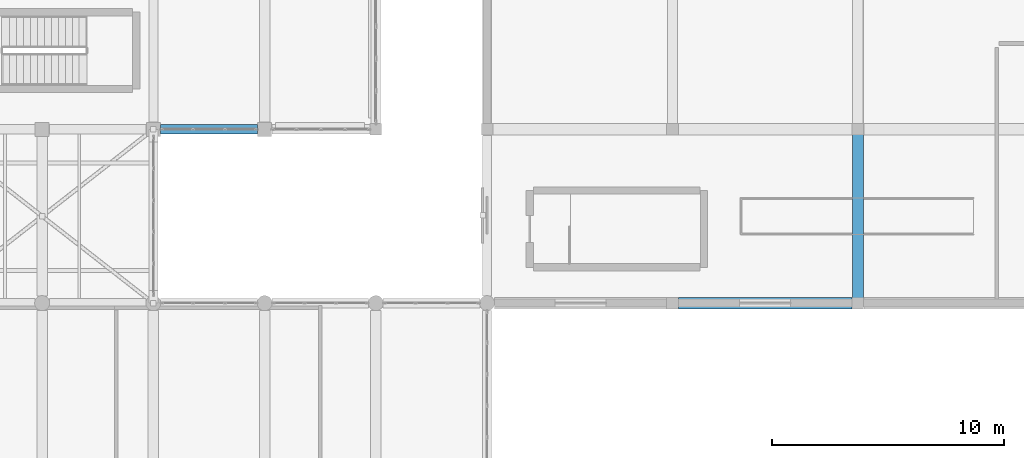
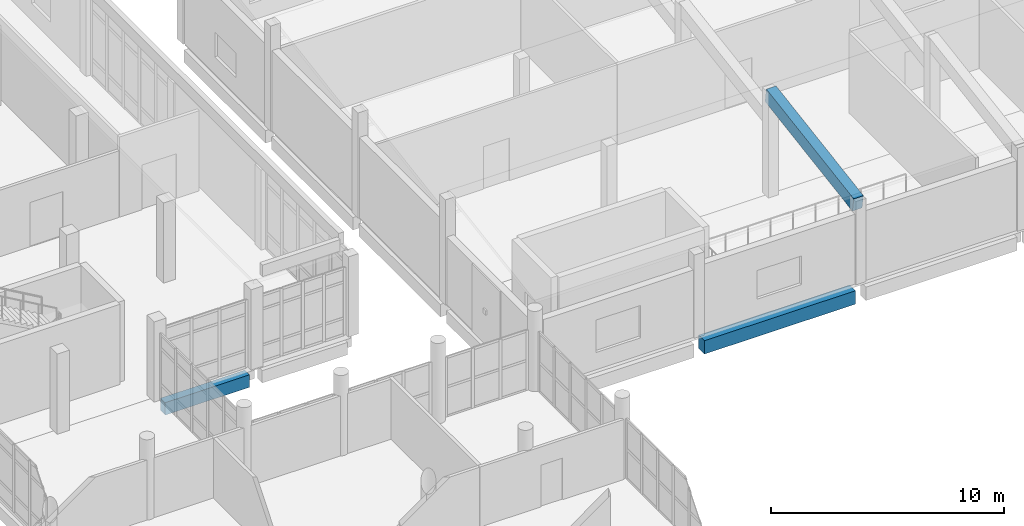
# One storey, part 96 of 164: 3 beams.
"""IFC4 building model written with IfcOpenShell, lengths in metres."""

import ifcopenshell
import ifcopenshell.guid

model = None  # the IFC model being written
_history = None  # IfcOwnerHistory: only IFC2X3 demands one
_inside = {}  # id of a spatial element -> (the spatial element, [elements in it])
_under = {}  # id of a project, library or spatial element -> (it, [spatial elements below it])
_declared = {}  # id of a project -> (the project, [libraries it declares])
_typed = {}  # id of a type object -> (the type object, [elements of that type])
_made_of = {}  # id of a material, layer set ... -> (it, [elements and type objects made of it])


def new_model(schema):
    """Start an empty IFC model of exactly this schema.

    Asked for "IFC4X3", IfcOpenShell would pick the latest addendum, in which some entities
    have other attributes; the version numbers below select the first issue.
    IFC2X3 requires an IfcOwnerHistory on every rooted entity: one is made here for all.
    """
    global model, _history
    if schema == "IFC4X3":
        model = ifcopenshell.file(schema_version=(4, 3, 0, 0))
    else:
        model = ifcopenshell.file(schema=schema)
    _inside.clear()
    _under.clear()
    _declared.clear()
    _typed.clear()
    _made_of.clear()
    _history = None
    if model.schema == "IFC2X3":
        org = make("IfcOrganization", Name="unknown")
        user = make(
            "IfcPersonAndOrganization",
            ThePerson=make("IfcPerson", FamilyName="unknown"),
            TheOrganization=org,
        )
        app = make(
            "IfcApplication",
            ApplicationDeveloper=org,
            Version="unknown",
            ApplicationFullName="unknown",
            ApplicationIdentifier="unknown",
        )
        _history = make(
            "IfcOwnerHistory",
            OwningUser=user,
            OwningApplication=app,
            ChangeAction="ADDED",
            CreationDate=0,
        )
    return model


def make(cls, **values):
    """One entity of the class cls with the attributes given. An attribute that is None is left unset."""
    return model.create_entity(
        cls, **{name: value for name, value in values.items() if value is not None}
    )


def rooted(cls, **values):
    """An entity with a GlobalId (a new one), such as an element, a storey or a relation."""
    return make(cls, GlobalId=ifcopenshell.guid.new(), OwnerHistory=_history, **values)


def si_unit(unit_type, name, prefix=None):
    """IfcSIUnit, for example si_unit("LENGTHUNIT", "METRE", prefix="MILLI")."""
    return make("IfcSIUnit", UnitType=unit_type, Prefix=prefix, Name=name)


def assignment(units):
    """IfcUnitAssignment: the units of a project."""
    return None if units is None else make("IfcUnitAssignment", Units=units)


def point(xyz):
    """IfcCartesianPoint."""
    return None if xyz is None else make("IfcCartesianPoint", Coordinates=xyz)


def direction(xyz):
    """IfcDirection."""
    return None if xyz is None else make("IfcDirection", DirectionRatios=xyz)


def frame(location, z_axis=None, x_axis=None):
    """IfcAxis2Placement3D, a coordinate frame: its origin and axes. An axis left out is left unset."""
    return make(
        "IfcAxis2Placement3D",
        Location=point(location),
        Axis=direction(z_axis),
        RefDirection=direction(x_axis),
    )


def frame_2d(location, x_axis=None):
    """IfcAxis2Placement2D, a coordinate frame in the plane: its origin and x axis."""
    return make(
        "IfcAxis2Placement2D", Location=point(location), RefDirection=direction(x_axis)
    )


def origin():
    """The frame at (0, 0, 0) with its axes left unset."""
    return frame((0.0, 0.0, 0.0))


def origin_2d():
    """The frame at (0, 0) in the plane with its x axis left unset."""
    return frame_2d((0.0, 0.0))


def place(relative_to, where):
    """IfcLocalPlacement: puts the frame where relative to a parent placement (None: the world)."""
    return make(
        "IfcLocalPlacement", PlacementRelTo=relative_to, RelativePlacement=where
    )


def context(
    kind, dimensions, precision=None, world=None, true_north=None, identifier=None
):
    """IfcGeometricRepresentationContext, for example the 3D "Model" context."""
    return make(
        "IfcGeometricRepresentationContext",
        ContextIdentifier=identifier,
        ContextType=kind,
        CoordinateSpaceDimension=dimensions,
        Precision=precision,
        WorldCoordinateSystem=world,
        TrueNorth=true_north,
    )


def subcontext(parent, identifier, kind, view, scale=None):
    """IfcGeometricRepresentationSubContext, for example "Body" below "Model"."""
    return make(
        "IfcGeometricRepresentationSubContext",
        ContextIdentifier=identifier,
        ContextType=kind,
        ParentContext=parent,
        TargetScale=scale,
        TargetView=view,
    )


def project(units=None, contexts=None):
    """IfcProject with its units and contexts."""
    return rooted(
        "IfcProject",
        Name="project",
        RepresentationContexts=contexts,
        UnitsInContext=assignment(units),
    )


def spatial(cls, under=None, at=None, **own):
    """A site, building, storey or space (cls), placed at a placement, below another one or the project."""
    s = rooted(cls, ObjectPlacement=at, **own)
    if under is not None:
        _under.setdefault(under.id(), (under, []))[1].append(s)
    return s


def profile(cls, at=None, kind="AREA", **sizes):
    """A parametric profile (cls). Its sizes go by their IFC names, for example OverallWidth=200.0."""
    return make(cls, ProfileType=kind, Position=at, **sizes)


def rectangle(**sizes):
    """IfcRectangleProfileDef."""
    return profile("IfcRectangleProfileDef", **sizes)


def extrude(swept, where, along, depth):
    """IfcExtrudedAreaSolid: the profile swept, set in the frame where, extruded along a direction by depth."""
    return make(
        "IfcExtrudedAreaSolid",
        SweptArea=swept,
        Position=where,
        ExtrudedDirection=direction(along),
        Depth=depth,
    )


def shape(context_of_items, identifier, shape_type, items):
    """IfcShapeRepresentation: the items that make up one representation, for example the "Body"."""
    return make(
        "IfcShapeRepresentation",
        ContextOfItems=context_of_items,
        RepresentationIdentifier=identifier,
        RepresentationType=shape_type,
        Items=items,
    )


def material(Name=None, Category=None):
    """IfcMaterial."""
    return make("IfcMaterial", Name=Name, Category=Category)


def material_profile(
    of_material, cross_section, Name=None, Category=None, Priority=None
):
    """IfcMaterialProfile: a cross section and its material."""
    return make(
        "IfcMaterialProfile",
        Name=Name,
        Material=of_material,
        Profile=cross_section,
        Priority=Priority,
        Category=Category,
    )


def profile_set(profiles, Name=None, composite=None):
    """IfcMaterialProfileSet."""
    return make(
        "IfcMaterialProfileSet",
        Name=Name,
        MaterialProfiles=profiles,
        CompositeProfile=composite,
    )


def made_of(thing, what):
    """Note that an element or type object is made of a material, layer set ...; save() writes the relation."""
    if what is not None:
        _made_of.setdefault(what.id(), (what, []))[1].append(thing)
    return thing


def type_object(cls, material=None, **own):
    """A type object (cls), such as IfcWallType, which elements share."""
    return made_of(rooted(cls, **own), material)


def element(
    cls,
    number,
    at=None,
    inside=None,
    cuts=None,
    type_object=None,
    material=None,
    context=None,
    identifier="Body",
    shape_type=None,
    held_by="IfcProductDefinitionShape",
    body=None,
    shapes=None,
    **own,
):
    """One element of the class cls, such as IfcWall. Its Tag is "e" and its number.

    at: its placement. inside: the storey or other place that contains it. cuts: it is an
    opening in that element (IfcRelVoidsElement). A single representation is given by context,
    identifier, shape_type and body (its items); several are given by shapes. held_by: the class
    of the entity that holds the representations. save() writes the other relations.
    """
    e = rooted(cls, Tag="e%d" % number, ObjectPlacement=at, **own)
    if body is not None:
        shapes = [shape(context, identifier, shape_type, body)]
    if shapes is not None:
        e.Representation = make(held_by, Representations=shapes)
    if inside is not None:
        _inside.setdefault(inside.id(), (inside, []))[1].append(e)
    if cuts is not None:
        rooted(
            "IfcRelVoidsElement", RelatingBuildingElement=cuts, RelatedOpeningElement=e
        )
    if type_object is not None:
        _typed.setdefault(type_object.id(), (type_object, []))[1].append(e)
    return made_of(e, material)


def aggregate(whole, parts):
    """IfcRelAggregates: a whole, such as a stair, and the parts it consists of."""
    return rooted("IfcRelAggregates", RelatingObject=whole, RelatedObjects=parts)


def save(model, path):
    """Write the relations noted so far, then the file.

    IfcRelAggregates (storeys below a building ...), IfcRelContainedInSpatialStructure (elements
    in a storey), IfcRelDefinesByType, IfcRelAssociatesMaterial and IfcRelDeclares: one each for
    every whole, place, type object, material and project.
    """
    for whole, parts in _under.values():
        aggregate(whole, parts)
    for where, things in _inside.values():
        rooted(
            "IfcRelContainedInSpatialStructure",
            RelatedElements=things,
            RelatingStructure=where,
        )
    for kind, things in _typed.values():
        rooted("IfcRelDefinesByType", RelatedObjects=things, RelatingType=kind)
    for what, things in _made_of.values():
        rooted("IfcRelAssociatesMaterial", RelatedObjects=things, RelatingMaterial=what)
    for by, libraries in _declared.values():
        rooted("IfcRelDeclares", RelatingContext=by, RelatedDefinitions=libraries)
    model.write(path)


model = new_model("IFC4")

# Units and contexts
model_context = context("Model", 3, precision=1e-05, world=origin(), true_north=direction((0.0, 1.0)))
body_context = subcontext(model_context, "Body", "Model", "MODEL_VIEW")
ifc_project = project(units=[si_unit("LENGTHUNIT", "METRE"), si_unit("AREAUNIT", "SQUARE_METRE"), si_unit("VOLUMEUNIT", "CUBIC_METRE"), si_unit("PLANEANGLEUNIT", "RADIAN"), si_unit("MASSUNIT", "GRAM", prefix="KILO")], contexts=[model_context])

# Site, building, storey
site_placement = place(None, origin())
site = spatial("IfcSite", under=ifc_project, at=site_placement, CompositionType="ELEMENT")
building_placement = place(site_placement, origin())
building = spatial("IfcBuilding", under=site, at=building_placement, Name="Mawjan Specialist Oncology Clinic", CompositionType="ELEMENT")
storey_placement = place(building_placement, frame((0.0, 0.0, 5.0)))
storey = spatial("IfcBuildingStorey", under=building, at=storey_placement, Name="L01", CompositionType="ELEMENT", Elevation=5.0)

# Beams
ifc_material_1 = material(Name="Concrete C45/55", Category="concrete")
ifc_material_profile_1 = material_profile(ifc_material_1, rectangle(XDim=0.39990234375, YDim=0.64990234375, at=origin_2d()), Name="RC BM 400x650", Category="concrete")
ifc_profile_set_1 = profile_set([ifc_material_profile_1], Name="Concrete C45/55")
beam_type_1 = type_object("IfcBeamType", Name="SP-400x650", PredefinedType="SPANDREL", material=ifc_profile_set_1)
beam_1_placement = place(storey_placement, frame((93.909912109375, 83.300048828125, -0.625), z_axis=(1.0, 0.0, 0.0), x_axis=(0.0, 1.0, 0.0)))
element("IfcBeam", 1, at=beam_1_placement, inside=storey, type_object=beam_type_1, Name="L01 Spandrel Beam BM-L01-0350", PredefinedType="SPANDREL", context=body_context, shape_type="SweptSolid", body=[
    extrude(rectangle(XDim=0.39990234375, YDim=0.64990234375, at=origin_2d()), origin(), (0.0, 0.0, 1.0), 4.18017578125),
])
ifc_material_2 = material(Name="Concrete C45/55", Category="concrete")
ifc_material_profile_2 = material_profile(ifc_material_2, rectangle(XDim=0.5, YDim=0.699951171875, at=origin_2d()), Name="RC BM 500x700", Category="concrete")
ifc_profile_set_2 = profile_set([ifc_material_profile_2], Name="Concrete C45/55")
beam_type_2 = type_object("IfcBeamType", Name="SP-500x700", PredefinedType="SPANDREL", material=ifc_profile_set_2)
beam_2_placement = place(storey_placement, frame((116.260009765625, 75.800048828125, -0.64990234375), z_axis=(1.0, 0.0, 0.0), x_axis=(0.0, 1.0, 0.0)))
element("IfcBeam", 2, at=beam_2_placement, inside=storey, type_object=beam_type_2, Name="L01 Spandrel Beam BM-L01-0336", PredefinedType="SPANDREL", context=body_context, shape_type="SweptSolid", body=[
    extrude(rectangle(XDim=0.5, YDim=0.699951171875, at=origin_2d()), origin(), (0.0, 0.0, 1.0), 7.47998046875),
])
ifc_material_3 = material(Name="Precast concrete C45/55", Category="concrete")
ifc_material_profile_3 = material_profile(ifc_material_3, rectangle(XDim=0.47998046875, YDim=0.719970703125, at=origin_2d()), Name="RC TBM 480x720", Category="concrete")
ifc_profile_set_3 = profile_set([ifc_material_profile_3], Name="Precast concrete C45/55")
beam_type_3 = type_object("IfcBeamType", Name="TBM-SAW", PredefinedType="T_BEAM", material=ifc_profile_set_3)
beam_3_placement = place(storey_placement, frame((124.0, 75.800048828125, 4.030029296875), z_axis=(0.0, 0.987441634807, 0.157984232913), x_axis=(-1.0, 0.0, 0.0)))
element("IfcBeam", 3, at=beam_3_placement, inside=storey, type_object=beam_type_3, Name="Sawtooth Precast T-Beam 1-124", PredefinedType="T_BEAM", context=body_context, shape_type="SweptSolid", body=[
    extrude(rectangle(XDim=0.47998046875, YDim=0.719970703125, at=origin_2d()), origin(), (0.0, 0.0, 1.0), 7.595458984375),
])

save(model, "model.ifc")
